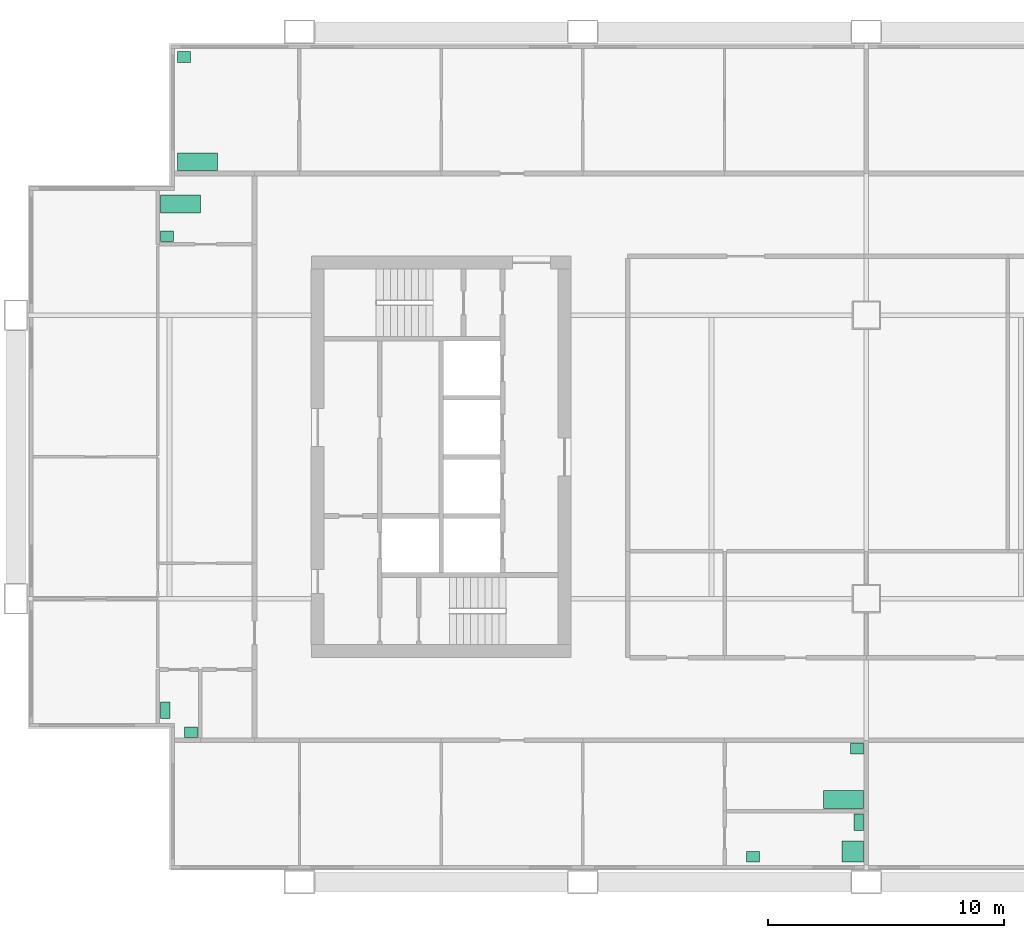
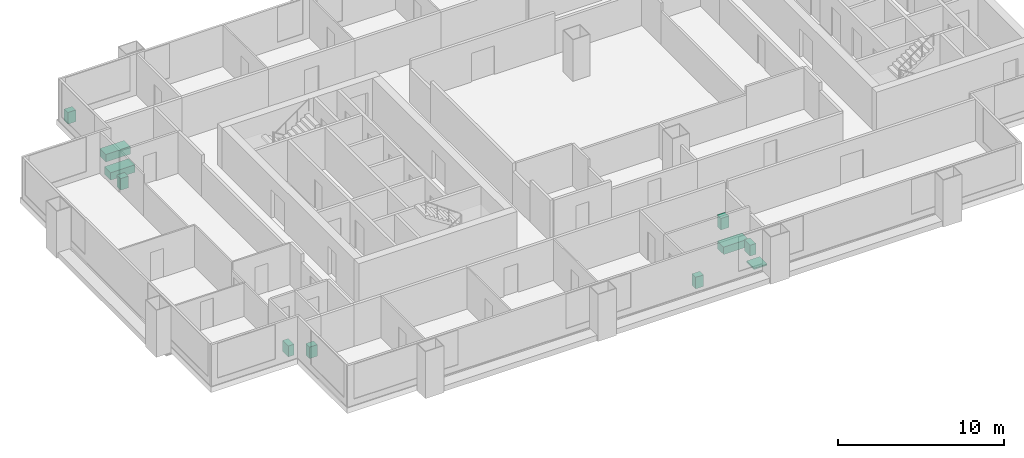
# One storey, part 8 of 8: 11 sanitary terminals.
"""IFC4 building model written with IfcOpenShell, lengths in metres."""

from ifc_helpers import new_model, si_unit, direction, frame, origin, origin_2d, place, context, subcontext, project, spatial, rectangle, extrude, material, type_object, element, save


model = new_model("IFC4")

# Units and contexts
model_context = context("Model", 3, precision=1e-05, world=origin(), true_north=direction((0.0, 1.0)))
body_context = subcontext(model_context, "Body", "Model", "MODEL_VIEW")
ifc_project = project(units=[si_unit("LENGTHUNIT", "METRE"), si_unit("AREAUNIT", "SQUARE_METRE"), si_unit("VOLUMEUNIT", "CUBIC_METRE"), si_unit("PLANEANGLEUNIT", "RADIAN"), si_unit("MASSUNIT", "GRAM", prefix="KILO")], contexts=[model_context])

# Site, building, storey
site_placement = place(None, origin())
site = spatial("IfcSite", under=ifc_project, at=site_placement, CompositionType="ELEMENT")
building_placement = place(site_placement, origin())
building = spatial("IfcBuilding", under=site, at=building_placement, Name="Kitamizu Gate Tower and Museum", CompositionType="ELEMENT")
storey_placement = place(building_placement, frame((0.0, 0.0, 161.699951171875)))
storey = spatial("IfcBuildingStorey", under=building, at=storey_placement, Name="L42", CompositionType="ELEMENT", Elevation=161.699951171875)

# Sanitary terminals
ifc_material_1 = material(Name="Acrylic")
sanitary_terminal_type_1 = type_object("IfcSanitaryTerminalType", Name="Bath", PredefinedType="BATH", material=ifc_material_1)
for number, where, z_axis, x_axis, name in (
    (1, (35.030029296875, 15.4951171875, 0.0009765625), (0.0, 0.0, 1.0), (1.0, 0.0, 0.0), "Bath Bathroom 42A"),
    (2, (7.68994140625, 42.4951171875, 0.0009765625), (0.0, 0.0, 1.0), (1.0, 0.0, 0.0), "Bath Bathroom and WC 42B"),
    (3, (6.969970703125, 40.705078125, 0.0009765625), (0.0, 0.0, 1.0), (1.0, 0.0, 0.0), "Bath Bathroom 42C"),
):
    element("IfcSanitaryTerminal", number, at=place(storey_placement, frame(where, z_axis=z_axis, x_axis=x_axis)), inside=storey, type_object=sanitary_terminal_type_1, Name=name, PredefinedType="BATH", context=body_context, shape_type="SweptSolid", body=[
        extrude(rectangle(XDim=1.699951171875, YDim=0.75, at=origin_2d()), origin(), (0.0, 0.0, 1.0), 0.550048828125),
    ])
ifc_material_2 = material(Name="Acrylic")
sanitary_terminal_type_2 = type_object("IfcSanitaryTerminalType", Name="Shower tray", PredefinedType="SHOWER", material=ifc_material_2)
sanitary_terminal_placement = place(storey_placement, frame((35.429931640625, 13.2900390625, 0.0009765625), z_axis=(0.0, 0.0, 1.0), x_axis=(1.0, 0.0, 0.0)))
element("IfcSanitaryTerminal", 4, at=sanitary_terminal_placement, inside=storey, type_object=sanitary_terminal_type_2, Name="Shower tray En-suite bathroom and WC 42A", PredefinedType="SHOWER", context=body_context, shape_type="SweptSolid", body=[
    extrude(rectangle(XDim=0.89990234375, YDim=0.89990234375, at=origin_2d()), origin(), (0.0, 0.0, 1.0), 0.10009765625),
])
ifc_material_3 = material(Name="Vitreous china")
sanitary_terminal_type_3 = type_object("IfcSanitaryTerminalType", Name="Wash hand basin", PredefinedType="WASHHANDBASIN", material=ifc_material_3)
for number, where, z_axis, x_axis, name in (
    (5, (31.195068359375, 13.06494140625, 0.0009765625), (0.0, 0.0, 1.0), (1.0, 0.0, 0.0), "Wash hand basin En-suite bathroom and WC 42A"),
    (6, (35.60498046875, 17.655029296875, 0.0009765625), (0.0, 0.0, 1.0), (1.0, 0.0, 0.0), "Wash hand basin Bathroom 42A"),
    (7, (7.114990234375, 46.93505859375, 0.0009765625), (0.0, 0.0, 1.0), (1.0, 0.0, 0.0), "Wash hand basin Bathroom and WC 42B"),
    (8, (7.405029296875, 18.344970703125, 0.0009765625), (0.0, 0.0, 1.0), (1.0, 0.0, 0.0), "Wash hand basin WC 42C"),
    (9, (6.39501953125, 39.344970703125, 0.0009765625), (0.0, 0.0, 1.0), (1.0, 0.0, 0.0), "Wash hand basin Bathroom 42C"),
):
    element("IfcSanitaryTerminal", number, at=place(storey_placement, frame(where, z_axis=z_axis, x_axis=x_axis)), inside=storey, type_object=sanitary_terminal_type_3, Name=name, PredefinedType="WASHHANDBASIN", context=body_context, shape_type="SweptSolid", body=[
        extrude(rectangle(XDim=0.550048828125, YDim=0.449951171875, at=origin_2d()), origin(), (0.0, 0.0, 1.0), 0.85009765625),
    ])
ifc_material_4 = material(Name="Vitreous china")
sanitary_terminal_type_4 = type_object("IfcSanitaryTerminalType", Name="Water closet", PredefinedType="TOILETPAN", material=ifc_material_4)
for number, where, z_axis, x_axis, name in (
    (10, (35.679931640625, 14.530029296875, 0.0009765625), (0.0, 0.0, 1.0), (1.0, 0.0, 0.0), "Water closet En-suite bathroom and WC 42A"),
    (11, (6.320068359375, 19.27001953125, 0.0009765625), (0.0, 0.0, 1.0), (1.0, 0.0, 0.0), "Water closet WC 42C"),
):
    element("IfcSanitaryTerminal", number, at=place(storey_placement, frame(where, z_axis=z_axis, x_axis=x_axis)), inside=storey, type_object=sanitary_terminal_type_4, Name=name, PredefinedType="TOILETPAN", context=body_context, shape_type="SweptSolid", body=[
        extrude(rectangle(XDim=0.39990234375, YDim=0.699951171875, at=origin_2d()), origin(), (0.0, 0.0, 1.0), 0.800048828125),
    ])

save(model, "model.ifc")
